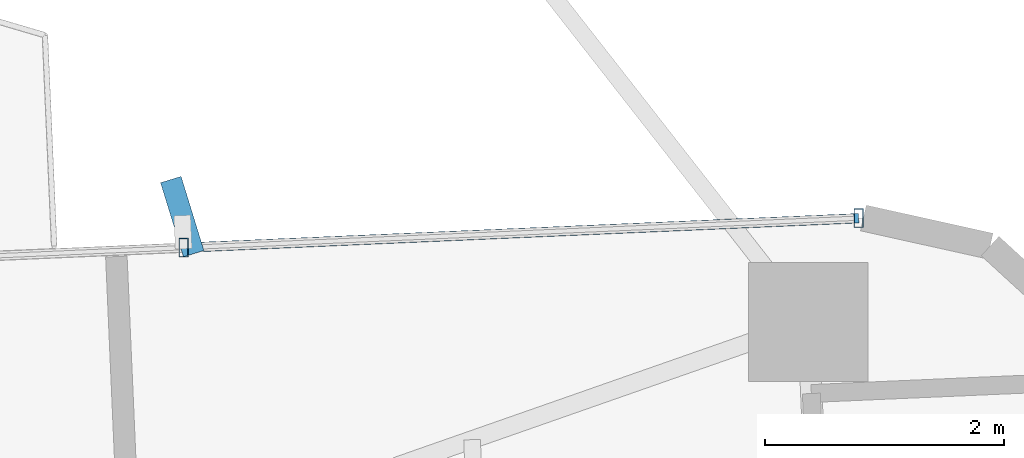
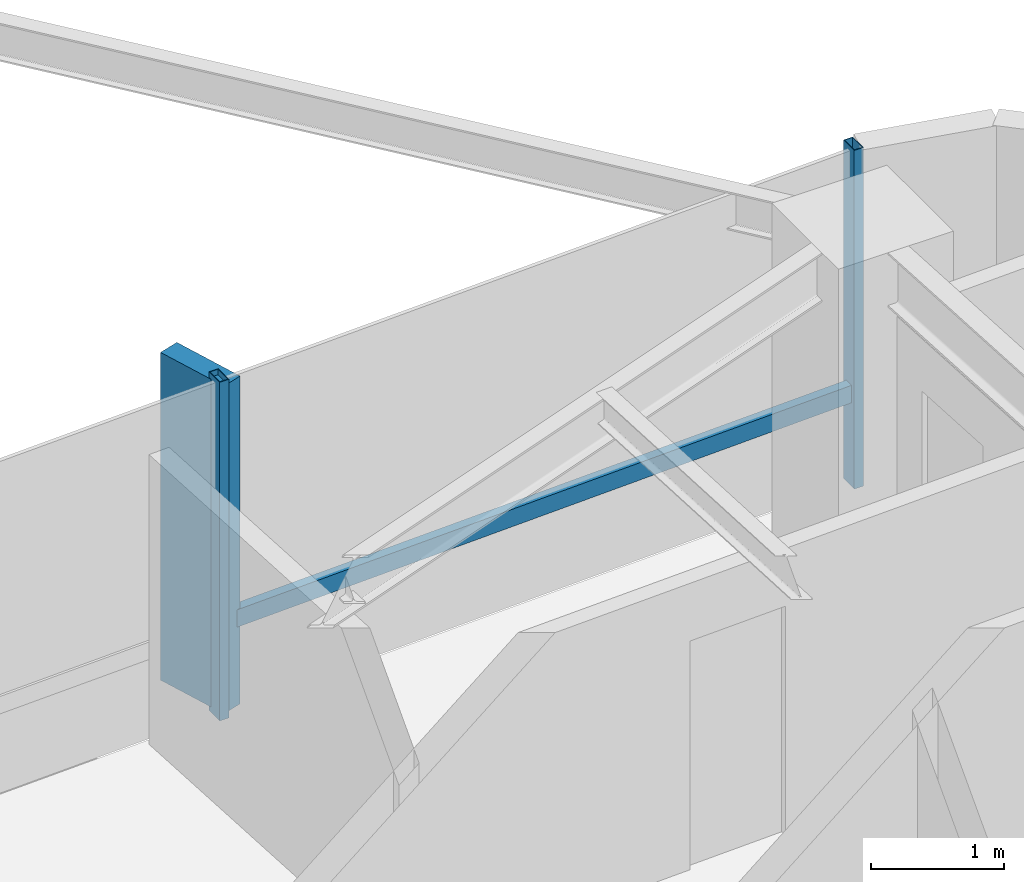
# One storey, part 20 of 26: 4 members, 1 element without a shape of its own.
"""IFC4 building model written with IfcOpenShell, lengths in metres."""

from ifc_helpers import new_model, si_unit, direction, frame, origin, origin_2d, place, context, subcontext, project, spatial, rectangle, hollow_rectangle, extrude, source, transform, mapped, material, material_profile, profile_set, type_object, element, aggregate, save


model = new_model("IFC4")

# Units and contexts
model_context = context("Model", 3, precision=1e-05, world=origin(), true_north=direction((0.0, 1.0)))
body_context = subcontext(model_context, "Body", "Model", "MODEL_VIEW")
ifc_project = project(units=[si_unit("LENGTHUNIT", "METRE"), si_unit("AREAUNIT", "SQUARE_METRE"), si_unit("VOLUMEUNIT", "CUBIC_METRE"), si_unit("PLANEANGLEUNIT", "RADIAN"), si_unit("MASSUNIT", "GRAM", prefix="KILO")], contexts=[model_context])

# Site, building, storey
site_placement = place(None, origin())
site = spatial("IfcSite", under=ifc_project, at=site_placement, CompositionType="ELEMENT")
building_placement = place(site_placement, origin())
building = spatial("IfcBuilding", under=site, at=building_placement, Name="Sahyath Konkavel Grand Hotel", CompositionType="ELEMENT")
storey_placement = place(building_placement, frame((0.0, 0.0, 128.199951171875)))
storey = spatial("IfcBuildingStorey", under=building, at=storey_placement, Name="L35", CompositionType="ELEMENT", Elevation=128.199951171875)

# Curtain wall, members
ifc_material_1 = material(Name="Anodised Bronze Aluminium & Low-E Glazing", Category="aluminium")
curtain_wall_type = type_object("IfcCurtainWallType", Name="CW-ZONE2", PredefinedType="NOTDEFINED", material=ifc_material_1)
curtain_wall_placement = place(storey_placement, origin())
curtain_wall = element("IfcCurtainWall", 1, at=curtain_wall_placement, inside=storey, type_object=curtain_wall_type, Name="L35 Unitised Curtain Wall F7", PredefinedType="NOTDEFINED")
ifc_material_2 = material(Name="Warm Buff Sandstone Cladding on Concrete C50/60", Category="masonry")
ifc_material_profile_1 = material_profile(ifc_material_2, rectangle(XDim=0.179931640625, YDim=0.64990234375, at=origin_2d()), Name="FIN 180x650")
ifc_profile_set_1 = profile_set([ifc_material_profile_1], Name="Warm Buff Sandstone Cladding on Concrete C50/60")
member_type_1 = type_object("IfcMemberType", Name="FIN-SANDSTONE-650", PredefinedType="MULLION", material=ifc_profile_set_1)
shared_shape_1 = source(origin(), body_context, "Body", "SweptSolid", [
    extrude(rectangle(XDim=0.179931640625, YDim=0.64990234375, at=origin_2d()), origin(), (0.0, 0.0, 1.0), 3.010009765625),
])
member_1_placement = place(storey_placement, frame((11.989013671875, 7.39013671875, 0.050048828125), z_axis=(0.0, 0.0, 1.0), x_axis=(0.955690317134, 0.294373942013, 0.0)))
member_1 = element("IfcMember", 2, at=member_1_placement, type_object=member_type_1, Name="L35 Sandstone Vertical Solar Fin FIN F7-1", PredefinedType="MULLION", context=body_context, shape_type="MappedRepresentation", body=[
    mapped(shared_shape_1, transform((0.0, 0.0, 0.0), scale=1.0)),
])
ifc_material_3 = material(Name="Anodised Bronze Aluminium", Category="aluminium")
ifc_material_profile_2 = material_profile(ifc_material_3, hollow_rectangle(XDim=0.080078125, YDim=0.159912109375, WallThickness=0.006103515625, at=origin_2d()), Name="RHS 160x80x6")
ifc_profile_set_2 = profile_set([ifc_material_profile_2], Name="Anodised Bronze Aluminium")
member_type_2 = type_object("IfcMemberType", Name="CW-MUL-160", PredefinedType="MULLION", material=ifc_profile_set_2)
shared_shape_2 = source(origin(), body_context, "Body", "SweptSolid", [
    extrude(hollow_rectangle(XDim=0.080078125, YDim=0.159912109375, WallThickness=0.006103515625, at=origin_2d()), origin(), (0.0, 0.0, 1.0), 3.110107421875),
])
member_2_placement = place(storey_placement, frame((17.655029296875, 7.377197265625, 0.0), z_axis=(0.0, 0.0, 1.0), x_axis=(1.0, 0.0, 0.0)))
member_2 = element("IfcMember", 3, at=member_2_placement, type_object=member_type_2, Name="L35 Curtain Wall Mullion F7-0", PredefinedType="MULLION", context=body_context, shape_type="MappedRepresentation", body=[
    mapped(shared_shape_2, transform((0.0, 0.0, 0.0), scale=1.0)),
])
member_3_placement = place(storey_placement, frame((12.00048828125, 7.13037109375, 0.0), z_axis=(0.0, 0.0, 1.0), x_axis=(1.0, 0.0, 0.0)))
member_3 = element("IfcMember", 4, at=member_3_placement, type_object=member_type_2, Name="L35 Curtain Wall Mullion F7-1", PredefinedType="MULLION", context=body_context, shape_type="MappedRepresentation", body=[
    mapped(shared_shape_2, transform((0.0, 0.0, 0.0), scale=1.0)),
])
ifc_material_profile_3 = material_profile(ifc_material_3, hollow_rectangle(XDim=0.080078125, YDim=0.159912109375, WallThickness=0.006103515625, at=origin_2d()), Name="RHS 160x80x6")
ifc_profile_set_3 = profile_set([ifc_material_profile_3], Name="Anodised Bronze Aluminium")
member_type_3 = type_object("IfcMemberType", Name="CW-TRN-160", PredefinedType="USERDEFINED", material=ifc_profile_set_3)
shared_shape_3 = source(origin(), body_context, "Body", "SweptSolid", [
    extrude(hollow_rectangle(XDim=0.080078125, YDim=0.159912109375, WallThickness=0.006103515625, at=origin_2d()), origin(), (0.0, 0.0, 1.0), 5.659912109375),
])
member_4_placement = place(storey_placement, frame((17.655029296875, 7.377197265625, 0.85009765625), z_axis=(-0.999048655935, -0.043609437898, 0.0), x_axis=(0.043609437898, -0.999048655935, 0.0)))
member_4 = element("IfcMember", 5, at=member_4_placement, type_object=member_type_3, Name="L35 Curtain Wall Transom F7-0-spandrel", ObjectType="TRANSOM", PredefinedType="USERDEFINED", context=body_context, shape_type="MappedRepresentation", body=[
    mapped(shared_shape_3, transform((0.0, 0.0, 0.0), scale=1.0)),
])
aggregate(curtain_wall, [member_2, member_3, member_1, member_4])

save(model, "model.ifc")
